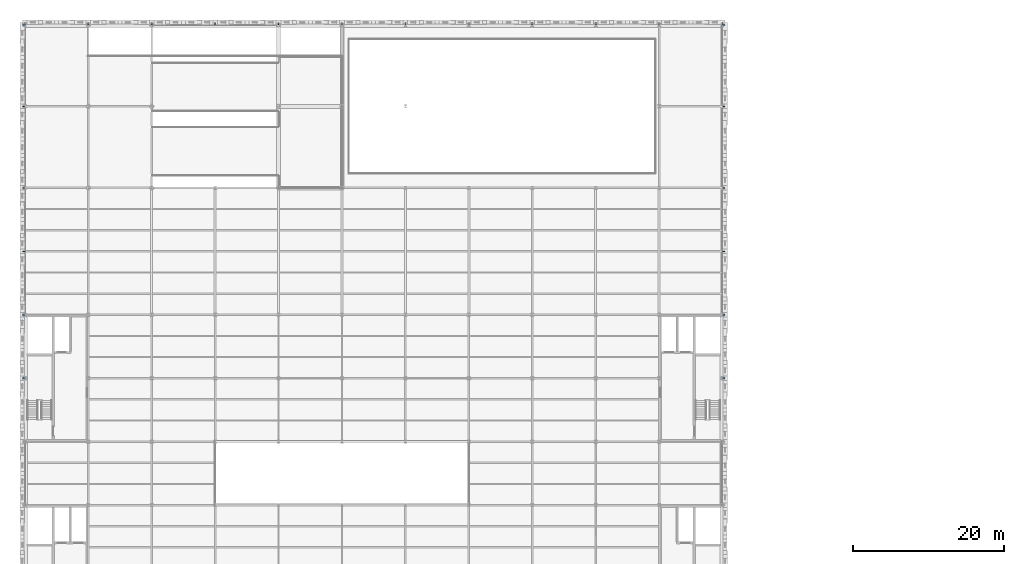
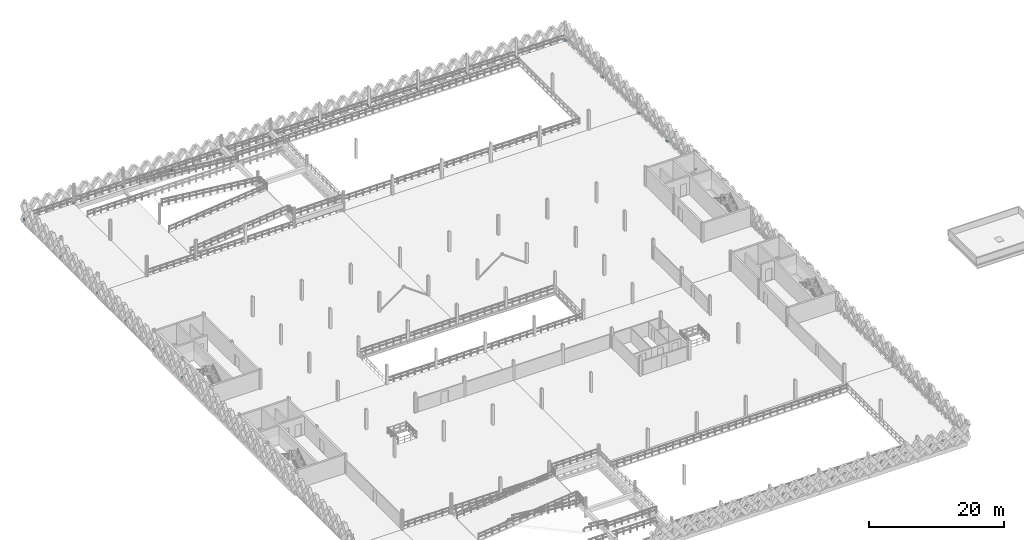
# One storey, part 37 of 62: 24 members.
"""IFC4 building model written with IfcOpenShell, lengths in metres."""

from ifc_helpers import new_model, si_unit, direction, frame, origin, origin_2d, place, context, subcontext, project, spatial, hollow_rectangle, extrude, material, material_profile, profile_set, type_object, element, save


model = new_model("IFC4")

# Units and contexts
model_context = context("Model", 3, precision=1e-05, world=origin(), true_north=direction((0.0, 1.0)))
body_context = subcontext(model_context, "Body", "Model", "MODEL_VIEW")
ifc_project = project(units=[si_unit("LENGTHUNIT", "METRE"), si_unit("AREAUNIT", "SQUARE_METRE"), si_unit("VOLUMEUNIT", "CUBIC_METRE"), si_unit("PLANEANGLEUNIT", "RADIAN"), si_unit("MASSUNIT", "GRAM", prefix="KILO"), si_unit("THERMODYNAMICTEMPERATUREUNIT", "KELVIN"), si_unit("POWERUNIT", "WATT")], contexts=[model_context])

# Site, building, storey
site_placement = place(None, origin())
site = spatial("IfcSite", under=ifc_project, at=site_placement, CompositionType="ELEMENT")
building_placement = place(site_placement, origin())
building = spatial("IfcBuilding", under=site, at=building_placement, Name="Tembeka Court Mobility Hub", CompositionType="ELEMENT")
storey_placement = place(building_placement, frame((0.0, 0.0, 16.199951171875)))
storey = spatial("IfcBuildingStorey", under=building, at=storey_placement, Name="L04", CompositionType="ELEMENT", Elevation=16.199951171875)

# Members
ifc_material = material(Name="Steel S355", Category="steel")
ifc_material_profile = material_profile(ifc_material, hollow_rectangle(XDim=0.14990234375, YDim=0.300048828125, WallThickness=0.010009765625, at=origin_2d()), Name="RHS 300x150x10")
ifc_profile_set = profile_set([ifc_material_profile], Name="Steel S355")
member_type = type_object("IfcMemberType", Name="MEM-ST03", PredefinedType="STRUT", material=ifc_profile_set)
for number, where, z_axis, x_axis, name in (
    (1, (0.0, 118.800048828125, 0.02001953125), (0.0, 1.0, 0.0), (-1.0, 0.0, 0.0), "Lattice outrigger tie SR03 (L04-Y-0)"),
    (2, (8.39990234375, 118.800048828125, 0.02001953125), (0.0, 1.0, 0.0), (-1.0, 0.0, 0.0), "Lattice outrigger tie SR03 (L04-Y-8)"),
    (3, (16.800048828125, 118.800048828125, 0.02001953125), (0.0, 1.0, 0.0), (-1.0, 0.0, 0.0), "Lattice outrigger tie SR03 (L04-Y-16)"),
    (4, (25.199951171875, 118.800048828125, 0.02001953125), (0.0, 1.0, 0.0), (-1.0, 0.0, 0.0), "Lattice outrigger tie SR03 (L04-Y-25)"),
    (5, (33.60009765625, 118.800048828125, 0.02001953125), (0.0, 1.0, 0.0), (-1.0, 0.0, 0.0), "Lattice outrigger tie SR03 (L04-Y-33)"),
    (6, (42.0, 118.800048828125, 0.02001953125), (0.0, 1.0, 0.0), (-1.0, 0.0, 0.0), "Lattice outrigger tie SR03 (L04-Y-42)"),
    (7, (50.39990234375, 118.800048828125, 0.02001953125), (0.0, 1.0, 0.0), (-1.0, 0.0, 0.0), "Lattice outrigger tie SR03 (L04-Y-50)"),
    (8, (58.800048828125, 118.800048828125, 0.02001953125), (0.0, 1.0, 0.0), (-1.0, 0.0, 0.0), "Lattice outrigger tie SR03 (L04-Y-58)"),
    (9, (67.199951171875, 118.800048828125, 0.02001953125), (0.0, 1.0, 0.0), (-1.0, 0.0, 0.0), "Lattice outrigger tie SR03 (L04-Y-67)"),
    (10, (75.60009765625, 118.800048828125, 0.02001953125), (0.0, 1.0, 0.0), (-1.0, 0.0, 0.0), "Lattice outrigger tie SR03 (L04-Y-75)"),
    (11, (84.0, 118.800048828125, 0.02001953125), (0.0, 1.0, 0.0), (-1.0, 0.0, 0.0), "Lattice outrigger tie SR03 (L04-Y-84)"),
    (12, (92.39990234375, 118.800048828125, 0.02001953125), (0.0, 1.0, 0.0), (-1.0, 0.0, 0.0), "Lattice outrigger tie SR03 (L04-Y-92)"),
):
    element("IfcMember", number, at=place(storey_placement, frame(where, z_axis=z_axis, x_axis=x_axis)), inside=storey, type_object=member_type, Name=name, PredefinedType="STRUT", context=body_context, shape_type="SweptSolid", body=[
        extrude(hollow_rectangle(XDim=0.14990234375, YDim=0.300048828125, WallThickness=0.010009765625, at=origin_2d()), origin(), (0.0, 0.0, 1.0), 0.33984375),
    ])
for number, where, z_axis, x_axis, name in (
    (13, (0.0, 72.0, 0.02001953125), (-1.0, 0.0, 0.0), (0.0, -1.0, 0.0), "Lattice outrigger tie SR03 (L04-X-72)"),
    (14, (92.39990234375, 72.0, 0.02001953125), (1.0, 0.0, 0.0), (0.0, 1.0, 0.0), "Lattice outrigger tie SR03 (L04-X-72)"),
    (15, (0.0, 80.39990234375, 0.02001953125), (-1.0, 0.0, 0.0), (0.0, -1.0, 0.0), "Lattice outrigger tie SR03 (L04-X-80)"),
    (16, (92.39990234375, 80.39990234375, 0.02001953125), (1.0, 0.0, 0.0), (0.0, 1.0, 0.0), "Lattice outrigger tie SR03 (L04-X-80)"),
    (17, (0.0, 88.800048828125, 0.02001953125), (-1.0, 0.0, 0.0), (0.0, -1.0, 0.0), "Lattice outrigger tie SR03 (L04-X-88)"),
    (18, (92.39990234375, 88.800048828125, 0.02001953125), (1.0, 0.0, 0.0), (0.0, 1.0, 0.0), "Lattice outrigger tie SR03 (L04-X-88)"),
    (19, (0.0, 97.199951171875, 0.02001953125), (-1.0, 0.0, 0.0), (0.0, -1.0, 0.0), "Lattice outrigger tie SR03 (L04-X-97)"),
    (20, (92.39990234375, 97.199951171875, 0.02001953125), (1.0, 0.0, 0.0), (0.0, 1.0, 0.0), "Lattice outrigger tie SR03 (L04-X-97)"),
    (21, (0.0, 108.0, 0.02001953125), (-1.0, 0.0, 0.0), (0.0, -1.0, 0.0), "Lattice outrigger tie SR03 (L04-X-108)"),
    (22, (92.39990234375, 108.0, 0.02001953125), (1.0, 0.0, 0.0), (0.0, 1.0, 0.0), "Lattice outrigger tie SR03 (L04-X-108)"),
    (23, (0.0, 118.800048828125, 0.02001953125), (-1.0, 0.0, 0.0), (0.0, -1.0, 0.0), "Lattice outrigger tie SR03 (L04-X-118)"),
    (24, (92.39990234375, 118.800048828125, 0.02001953125), (1.0, 0.0, 0.0), (0.0, 1.0, 0.0), "Lattice outrigger tie SR03 (L04-X-118)"),
):
    element("IfcMember", number, at=place(storey_placement, frame(where, z_axis=z_axis, x_axis=x_axis)), inside=storey, type_object=member_type, Name=name, PredefinedType="STRUT", context=body_context, shape_type="SweptSolid", body=[
        extrude(hollow_rectangle(XDim=0.14990234375, YDim=0.300048828125, WallThickness=0.010009765625, at=origin_2d()), origin(), (0.0, 0.0, 1.0), 0.340087890625),
    ])

save(model, "model.ifc")
